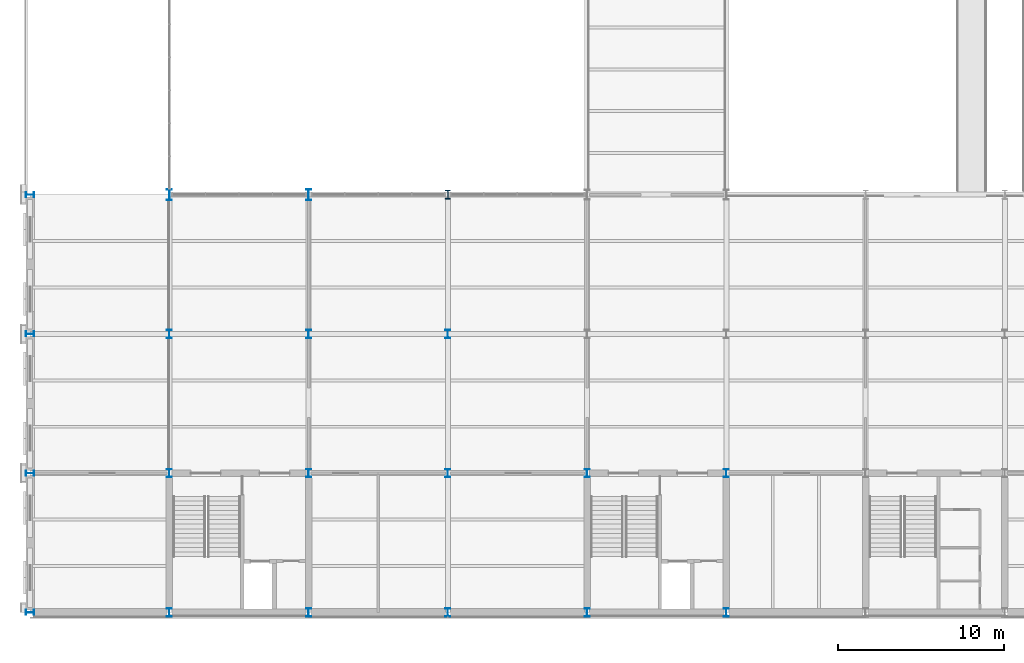
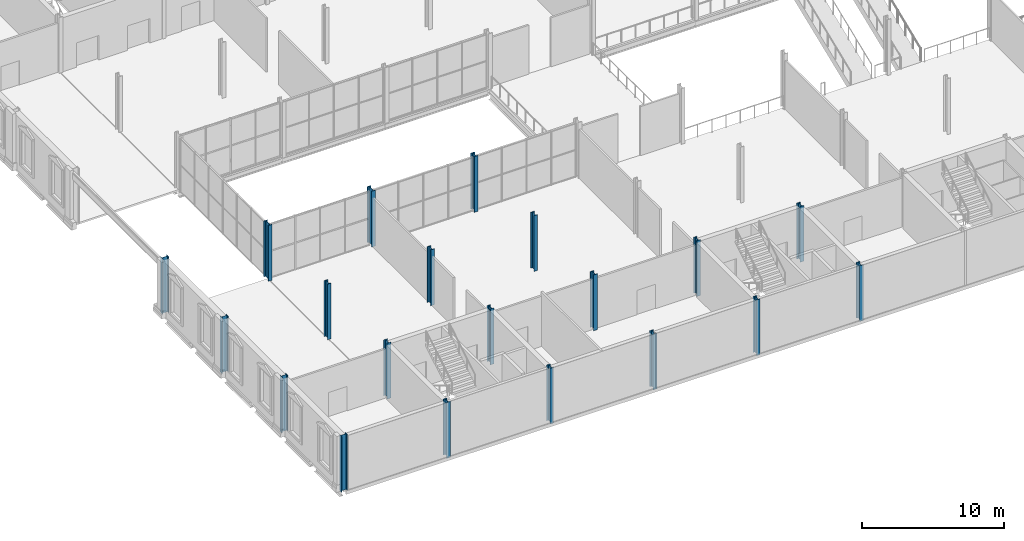
# One storey, part 1 of 61: 20 columns.
"""IFC4 building model written with IfcOpenShell, lengths in metres."""

from ifc_helpers import new_model, si_unit, direction, frame, origin, origin_2d, place, context, subcontext, project, spatial, i_section, extrude, material, material_profile, profile_set, type_object, element, save


model = new_model("IFC4")

# Units and contexts
model_context = context("Model", 3, precision=1e-05, world=origin(), true_north=direction((0.0, 1.0)))
body_context = subcontext(model_context, "Body", "Model", "MODEL_VIEW")
ifc_project = project(units=[si_unit("LENGTHUNIT", "METRE"), si_unit("AREAUNIT", "SQUARE_METRE"), si_unit("VOLUMEUNIT", "CUBIC_METRE"), si_unit("PLANEANGLEUNIT", "RADIAN"), si_unit("MASSUNIT", "GRAM", prefix="KILO")], contexts=[model_context])

# Site, building, storey
site_placement = place(None, origin())
site = spatial("IfcSite", under=ifc_project, at=site_placement, CompositionType="ELEMENT")
building_placement = place(site_placement, origin())
building = spatial("IfcBuilding", under=site, at=building_placement, Name="Galleria Vessillo Department Store", CompositionType="ELEMENT")
storey_placement = place(building_placement, frame((0.0, 0.0, 11.39990234375)))
storey = spatial("IfcBuildingStorey", under=building, at=storey_placement, Name="L02", CompositionType="ELEMENT", Elevation=11.39990234375)

# Columns
ifc_material_1 = material(Name="Steel S355 J2", Category="steel")
ifc_material_profile_1 = material_profile(ifc_material_1, i_section(OverallWidth=0.300048828125, OverallDepth=0.5, WebThickness=0.014404296875, FlangeThickness=0.028076171875, FilletRadius=0.027099609375, at=origin_2d()), Name="HEB 500")
ifc_profile_set_1 = profile_set([ifc_material_profile_1], Name="Steel S355 J2")
column_type_1 = type_object("IfcColumnType", Name="Steel column HEB 500 CP1", PredefinedType="COLUMN", material=ifc_profile_set_1)
for number, where, z_axis, x_axis, name in (
    (1, (0.0, 0.0, 0.0), (0.0, 0.0, 1.0), (0.0, 1.0, 0.0), "S-COL-L02-1-A"),
    (2, (0.0, 8.39990234375, 0.0), (0.0, 0.0, 1.0), (0.0, 1.0, 0.0), "S-COL-L02-1-B"),
    (3, (0.0, 16.800048828125, 0.0), (0.0, 0.0, 1.0), (0.0, 1.0, 0.0), "S-COL-L02-1-C"),
    (4, (0.0, 25.199951171875, 0.0), (0.0, 0.0, 1.0), (0.0, 1.0, 0.0), "S-COL-L02-1-D"),
    (5, (8.39990234375, 0.0, 0.0), (0.0, 0.0, 1.0), (1.0, 0.0, 0.0), "S-COL-L02-2-A"),
    (6, (8.39990234375, 8.39990234375, 0.0), (0.0, 0.0, 1.0), (1.0, 0.0, 0.0), "S-COL-L02-2-B"),
    (7, (8.39990234375, 16.800048828125, 0.0), (0.0, 0.0, 1.0), (1.0, 0.0, 0.0), "S-COL-L02-2-C"),
    (8, (16.800048828125, 0.0, 0.0), (0.0, 0.0, 1.0), (1.0, 0.0, 0.0), "S-COL-L02-3-A"),
    (9, (16.800048828125, 8.39990234375, 0.0), (0.0, 0.0, 1.0), (1.0, 0.0, 0.0), "S-COL-L02-3-B"),
    (10, (16.800048828125, 16.800048828125, 0.0), (0.0, 0.0, 1.0), (1.0, 0.0, 0.0), "S-COL-L02-3-C"),
    (11, (25.199951171875, 0.0, 0.0), (0.0, 0.0, 1.0), (1.0, 0.0, 0.0), "S-COL-L02-4-A"),
    (12, (25.199951171875, 8.39990234375, 0.0), (0.0, 0.0, 1.0), (1.0, 0.0, 0.0), "S-COL-L02-4-B"),
    (13, (25.199951171875, 16.800048828125, 0.0), (0.0, 0.0, 1.0), (1.0, 0.0, 0.0), "S-COL-L02-4-C"),
    (14, (33.60009765625, 0.0, 0.0), (0.0, 0.0, 1.0), (1.0, 0.0, 0.0), "S-COL-L02-5-A"),
    (15, (33.60009765625, 8.39990234375, 0.0), (0.0, 0.0, 1.0), (1.0, 0.0, 0.0), "S-COL-L02-5-B"),
    (16, (42.0, 0.0, 0.0), (0.0, 0.0, 1.0), (1.0, 0.0, 0.0), "S-COL-L02-6-A"),
    (17, (42.0, 8.39990234375, 0.0), (0.0, 0.0, 1.0), (1.0, 0.0, 0.0), "S-COL-L02-6-B"),
):
    element("IfcColumn", number, at=place(storey_placement, frame(where, z_axis=z_axis, x_axis=x_axis)), inside=storey, type_object=column_type_1, Name=name, PredefinedType="COLUMN", context=body_context, shape_type="SweptSolid", body=[
        extrude(i_section(OverallWidth=0.300048828125, OverallDepth=0.5, WebThickness=0.014404296875, FlangeThickness=0.028076171875, FilletRadius=0.027099609375, at=origin_2d()), origin(), (0.0, 0.0, 1.0), 4.800048828125),
    ])
ifc_material_2 = material(Name="Steel S355 J2", Category="steel")
ifc_material_profile_2 = material_profile(ifc_material_2, i_section(OverallWidth=0.305908203125, OverallDepth=0.52392578125, WebThickness=0.02099609375, FlangeThickness=0.0400390625, FilletRadius=0.027099609375, at=origin_2d()), Name="HEM 500")
ifc_profile_set_2 = profile_set([ifc_material_profile_2], Name="Steel S355 J2")
column_type_2 = type_object("IfcColumnType", Name="Steel column HEM 500 CV1", PredefinedType="COLUMN", material=ifc_profile_set_2)
column_placement = place(storey_placement, frame((25.199951171875, 25.199951171875, 0.0), z_axis=(0.0, 0.0, 1.0), x_axis=(1.0, 0.0, 0.0)))
element("IfcColumn", 18, at=column_placement, inside=storey, type_object=column_type_2, Name="S-COL-L02-4-D", PredefinedType="COLUMN", context=body_context, shape_type="SweptSolid", body=[
    extrude(i_section(OverallWidth=0.305908203125, OverallDepth=0.52392578125, WebThickness=0.02099609375, FlangeThickness=0.0400390625, FilletRadius=0.027099609375, at=origin_2d()), origin(), (0.0, 0.0, 1.0), 4.800048828125),
])
ifc_material_3 = material(Name="Steel S355 J2", Category="steel")
ifc_material_profile_3 = material_profile(ifc_material_3, i_section(OverallWidth=0.304931640625, OverallDepth=0.66796875, WebThickness=0.02099609375, FlangeThickness=0.0400390625, FilletRadius=0.027099609375, at=origin_2d()), Name="HEM 650")
ifc_profile_set_3 = profile_set([ifc_material_profile_3], Name="Steel S355 J2")
column_type_3 = type_object("IfcColumnType", Name="Steel column HEM 650 CV3", PredefinedType="COLUMN", material=ifc_profile_set_3)
for number, where, z_axis, x_axis, name in (
    (19, (8.39990234375, 25.199951171875, 0.0), (0.0, 0.0, 1.0), (1.0, 0.0, 0.0), "S-COL-L02-2-D"),
    (20, (16.800048828125, 25.199951171875, 0.0), (0.0, 0.0, 1.0), (1.0, 0.0, 0.0), "S-COL-L02-3-D"),
):
    element("IfcColumn", number, at=place(storey_placement, frame(where, z_axis=z_axis, x_axis=x_axis)), inside=storey, type_object=column_type_3, Name=name, PredefinedType="COLUMN", context=body_context, shape_type="SweptSolid", body=[
        extrude(i_section(OverallWidth=0.304931640625, OverallDepth=0.66796875, WebThickness=0.02099609375, FlangeThickness=0.0400390625, FilletRadius=0.027099609375, at=origin_2d()), origin(), (0.0, 0.0, 1.0), 4.800048828125),
    ])

save(model, "model.ifc")
